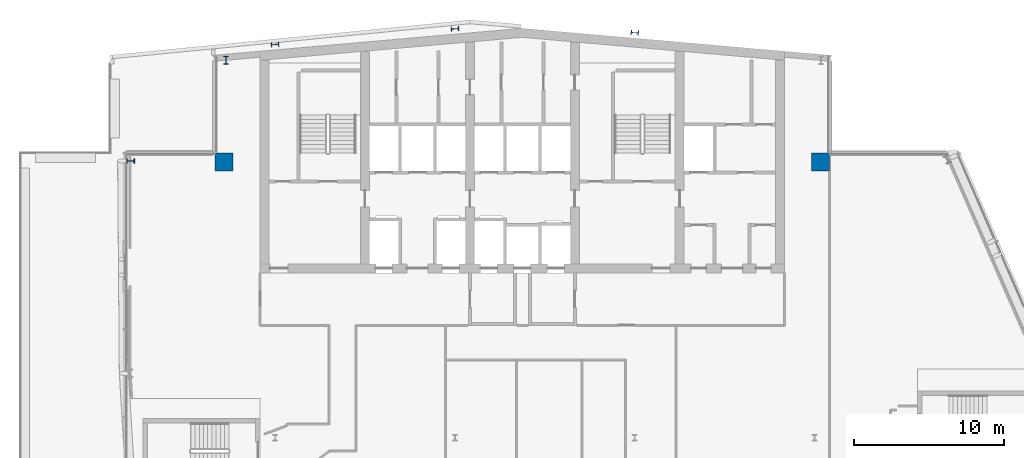
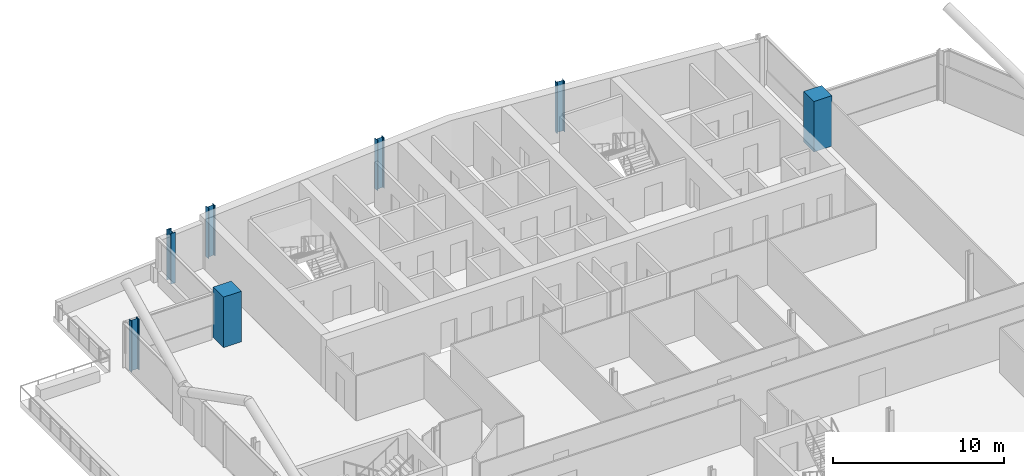
# One storey, part 3 of 27: 7 columns.
"""IFC4 building model written with IfcOpenShell, lengths in metres."""

from ifc_helpers import new_model, si_unit, direction, frame, origin, origin_2d, place, context, subcontext, project, spatial, rectangle, i_section, extrude, material, material_profile, profile_set, type_object, element, save


model = new_model("IFC4")

# Units and contexts
model_context = context("Model", 3, precision=1e-05, world=origin(), true_north=direction((0.0, 1.0)))
body_context = subcontext(model_context, "Body", "Model", "MODEL_VIEW")
ifc_project = project(units=[si_unit("LENGTHUNIT", "METRE"), si_unit("AREAUNIT", "SQUARE_METRE"), si_unit("VOLUMEUNIT", "CUBIC_METRE"), si_unit("PLANEANGLEUNIT", "RADIAN"), si_unit("MASSUNIT", "GRAM", prefix="KILO")], contexts=[model_context])

# Site, building, storey
site_placement = place(None, origin())
site = spatial("IfcSite", under=ifc_project, at=site_placement, CompositionType="ELEMENT")
building_placement = place(site_placement, origin())
building = spatial("IfcBuilding", under=site, at=building_placement, Name="Wharfspan Tower", CompositionType="ELEMENT")
storey_placement = place(building_placement, frame((0.0, 0.0, 207.100098)))
storey = spatial("IfcBuildingStorey", under=building, at=storey_placement, Name="L51", CompositionType="ELEMENT", Elevation=207.100098)

# Columns
ifc_material_1 = material(Name="Steel S355J2", Category="steel")
ifc_material_profile_1 = material_profile(ifc_material_1, i_section(OverallWidth=0.300049, OverallDepth=0.5, WebThickness=0.014404, FlangeThickness=0.028076, FilletRadius=0.0271, at=origin_2d()))
ifc_profile_set_1 = profile_set([ifc_material_profile_1], Name="Steel S355J2")
column_type_1 = type_object("IfcColumnType", Name="Column HEB 500", PredefinedType="COLUMN", material=ifc_profile_set_1)
for number, where, z_axis, x_axis, name in (
    (1, (24.0, 49.234863, 0.0), (0.0, 0.0, 1.0), (-0.087156, 0.996197, 0.0), "Rear column R.1 L51"),
    (2, (36.0, 50.284668, 0.0), (0.0, 0.0, 1.0), (-0.087156, 0.996197, 0.0), "Rear column R.2 L51"),
    (3, (48.0, 50.022217, 0.0), (0.0, 0.0, 1.0), (0.087156, 0.996197, 0.0), "Rear column R.3 L51"),
):
    element("IfcColumn", number, at=place(storey_placement, frame(where, z_axis=z_axis, x_axis=x_axis)), inside=storey, type_object=column_type_1, Name=name, PredefinedType="COLUMN", context=body_context, shape_type="SweptSolid", body=[
        extrude(i_section(OverallWidth=0.300049, OverallDepth=0.5, WebThickness=0.014404, FlangeThickness=0.028076, FilletRadius=0.0271, at=origin_2d()), origin(), (0.0, 0.0, 1.0), 3.599854),
    ])
ifc_material_profile_2 = material_profile(ifc_material_1, i_section(OverallWidth=0.305908, OverallDepth=0.523926, WebThickness=0.020996, FlangeThickness=0.040039, FilletRadius=0.0271, at=origin_2d()))
ifc_profile_set_2 = profile_set([ifc_material_profile_2], Name="Steel S355J2")
column_type_2 = type_object("IfcColumnType", Name="Column HEM 500", PredefinedType="COLUMN", material=ifc_profile_set_2)
for number, where, z_axis, x_axis, name in (
    (4, (20.731201, 48.189941, 0.0), (0.0, 0.0, 1.0), (-1.0, 0.0, 0.0), "Perimeter column PNRW-V.1 L51"),
    (5, (14.356934, 41.459717, 0.0), (0.0, 0.0, 1.0), (0.0, 1.0, 0.0), "Perimeter column PNRW-H.1 L51"),
):
    element("IfcColumn", number, at=place(storey_placement, frame(where, z_axis=z_axis, x_axis=x_axis)), inside=storey, type_object=column_type_2, Name=name, PredefinedType="COLUMN", context=body_context, shape_type="SweptSolid", body=[
        extrude(i_section(OverallWidth=0.305908, OverallDepth=0.523926, WebThickness=0.020996, FlangeThickness=0.040039, FilletRadius=0.0271, at=origin_2d()), origin(), (0.0, 0.0, 1.0), 3.599854),
    ])
ifc_material_2 = material(Name="Concrete C50/60", Category="concrete")
ifc_material_profile_3 = material_profile(ifc_material_2, rectangle(XDim=1.199951, YDim=1.199951, at=origin_2d()))
ifc_profile_set_3 = profile_set([ifc_material_profile_3], Name="Concrete C50/60")
column_type_3 = type_object("IfcColumnType", Name="Mega column 1200 C50/60", PredefinedType="COLUMN", material=ifc_profile_set_3)
for number, where, z_axis, x_axis, name in (
    (6, (20.600098, 41.399902, 0.0), (0.0, 0.0, 1.0), (1.0, 0.0, 0.0), "Mega column MC2 L51"),
    (7, (60.399902, 41.399902, 0.0), (0.0, 0.0, 1.0), (1.0, 0.0, 0.0), "Mega column MC3 L51"),
):
    element("IfcColumn", number, at=place(storey_placement, frame(where, z_axis=z_axis, x_axis=x_axis)), inside=storey, type_object=column_type_3, Name=name, PredefinedType="COLUMN", context=body_context, shape_type="SweptSolid", body=[
        extrude(rectangle(XDim=1.199951, YDim=1.199951, at=origin_2d()), origin(), (0.0, 0.0, 1.0), 3.599854),
    ])

save(model, "model.ifc")
